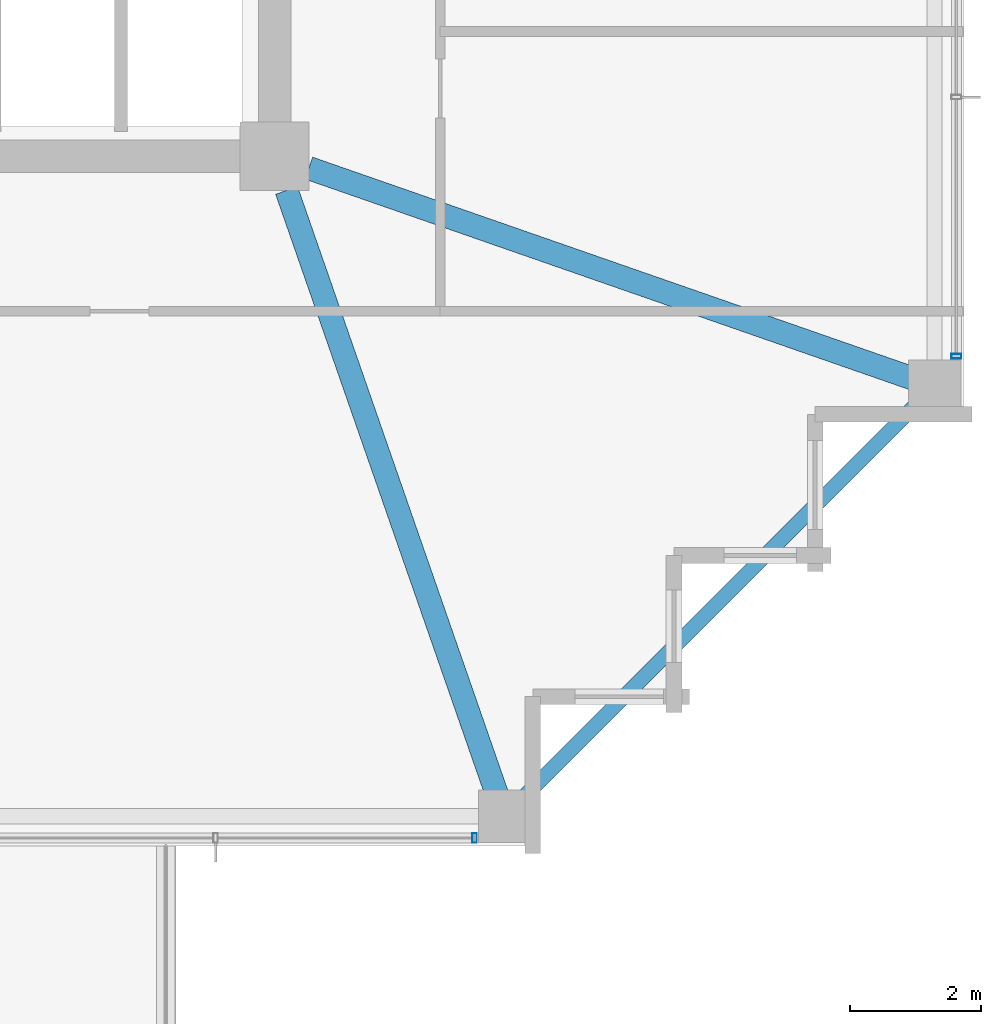
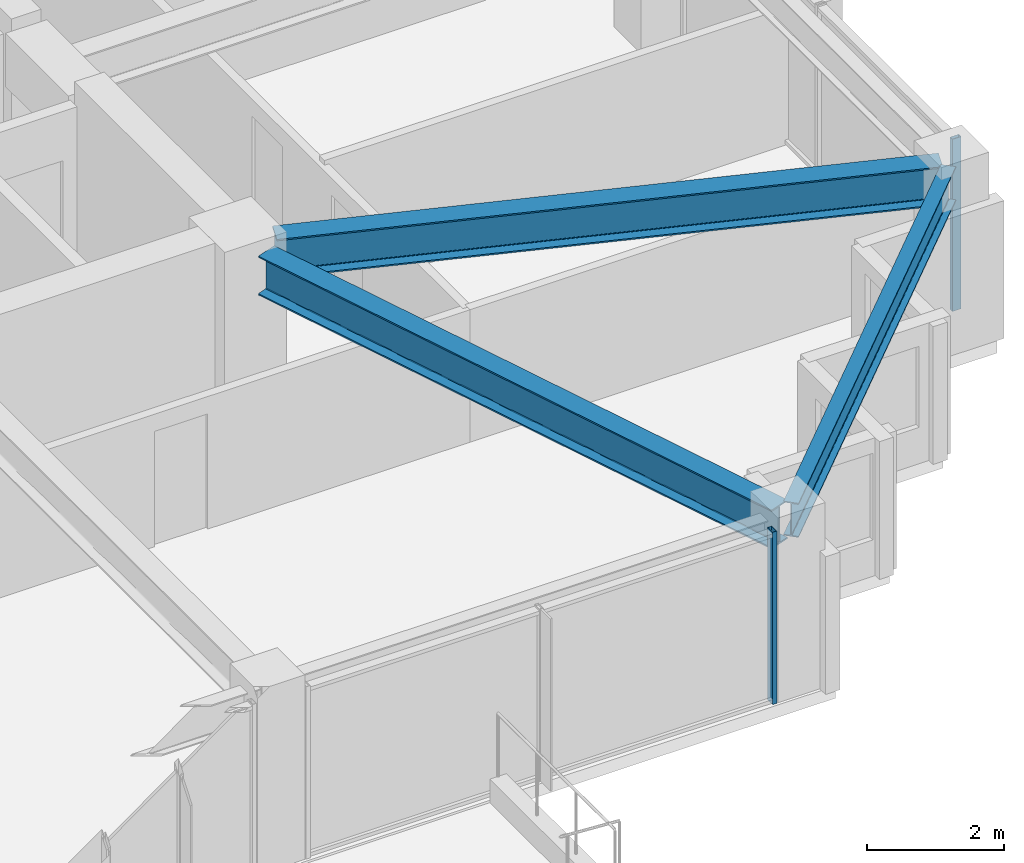
# One storey, part 11 of 36: 3 beams, 2 members, 2 elements without a shape of their own.
"""IFC4 building model written with IfcOpenShell, lengths in metres."""

import ifcopenshell
import ifcopenshell.guid

model = None  # the IFC model being written
_history = None  # IfcOwnerHistory: only IFC2X3 demands one
_inside = {}  # id of a spatial element -> (the spatial element, [elements in it])
_under = {}  # id of a project, library or spatial element -> (it, [spatial elements below it])
_declared = {}  # id of a project -> (the project, [libraries it declares])
_typed = {}  # id of a type object -> (the type object, [elements of that type])
_made_of = {}  # id of a material, layer set ... -> (it, [elements and type objects made of it])


def new_model(schema):
    """Start an empty IFC model of exactly this schema.

    Asked for "IFC4X3", IfcOpenShell would pick the latest addendum, in which some entities
    have other attributes; the version numbers below select the first issue.
    IFC2X3 requires an IfcOwnerHistory on every rooted entity: one is made here for all.
    """
    global model, _history
    if schema == "IFC4X3":
        model = ifcopenshell.file(schema_version=(4, 3, 0, 0))
    else:
        model = ifcopenshell.file(schema=schema)
    _inside.clear()
    _under.clear()
    _declared.clear()
    _typed.clear()
    _made_of.clear()
    _history = None
    if model.schema == "IFC2X3":
        org = make("IfcOrganization", Name="unknown")
        user = make(
            "IfcPersonAndOrganization",
            ThePerson=make("IfcPerson", FamilyName="unknown"),
            TheOrganization=org,
        )
        app = make(
            "IfcApplication",
            ApplicationDeveloper=org,
            Version="unknown",
            ApplicationFullName="unknown",
            ApplicationIdentifier="unknown",
        )
        _history = make(
            "IfcOwnerHistory",
            OwningUser=user,
            OwningApplication=app,
            ChangeAction="ADDED",
            CreationDate=0,
        )
    return model


def make(cls, **values):
    """One entity of the class cls with the attributes given. An attribute that is None is left unset."""
    return model.create_entity(
        cls, **{name: value for name, value in values.items() if value is not None}
    )


def rooted(cls, **values):
    """An entity with a GlobalId (a new one), such as an element, a storey or a relation."""
    return make(cls, GlobalId=ifcopenshell.guid.new(), OwnerHistory=_history, **values)


def si_unit(unit_type, name, prefix=None):
    """IfcSIUnit, for example si_unit("LENGTHUNIT", "METRE", prefix="MILLI")."""
    return make("IfcSIUnit", UnitType=unit_type, Prefix=prefix, Name=name)


def assignment(units):
    """IfcUnitAssignment: the units of a project."""
    return None if units is None else make("IfcUnitAssignment", Units=units)


def point(xyz):
    """IfcCartesianPoint."""
    return None if xyz is None else make("IfcCartesianPoint", Coordinates=xyz)


def direction(xyz):
    """IfcDirection."""
    return None if xyz is None else make("IfcDirection", DirectionRatios=xyz)


def frame(location, z_axis=None, x_axis=None):
    """IfcAxis2Placement3D, a coordinate frame: its origin and axes. An axis left out is left unset."""
    return make(
        "IfcAxis2Placement3D",
        Location=point(location),
        Axis=direction(z_axis),
        RefDirection=direction(x_axis),
    )


def frame_2d(location, x_axis=None):
    """IfcAxis2Placement2D, a coordinate frame in the plane: its origin and x axis."""
    return make(
        "IfcAxis2Placement2D", Location=point(location), RefDirection=direction(x_axis)
    )


def origin():
    """The frame at (0, 0, 0) with its axes left unset."""
    return frame((0.0, 0.0, 0.0))


def origin_2d():
    """The frame at (0, 0) in the plane with its x axis left unset."""
    return frame_2d((0.0, 0.0))


def place(relative_to, where):
    """IfcLocalPlacement: puts the frame where relative to a parent placement (None: the world)."""
    return make(
        "IfcLocalPlacement", PlacementRelTo=relative_to, RelativePlacement=where
    )


def context(
    kind, dimensions, precision=None, world=None, true_north=None, identifier=None
):
    """IfcGeometricRepresentationContext, for example the 3D "Model" context."""
    return make(
        "IfcGeometricRepresentationContext",
        ContextIdentifier=identifier,
        ContextType=kind,
        CoordinateSpaceDimension=dimensions,
        Precision=precision,
        WorldCoordinateSystem=world,
        TrueNorth=true_north,
    )


def subcontext(parent, identifier, kind, view, scale=None):
    """IfcGeometricRepresentationSubContext, for example "Body" below "Model"."""
    return make(
        "IfcGeometricRepresentationSubContext",
        ContextIdentifier=identifier,
        ContextType=kind,
        ParentContext=parent,
        TargetScale=scale,
        TargetView=view,
    )


def project(units=None, contexts=None):
    """IfcProject with its units and contexts."""
    return rooted(
        "IfcProject",
        Name="project",
        RepresentationContexts=contexts,
        UnitsInContext=assignment(units),
    )


def spatial(cls, under=None, at=None, **own):
    """A site, building, storey or space (cls), placed at a placement, below another one or the project."""
    s = rooted(cls, ObjectPlacement=at, **own)
    if under is not None:
        _under.setdefault(under.id(), (under, []))[1].append(s)
    return s


def profile(cls, at=None, kind="AREA", **sizes):
    """A parametric profile (cls). Its sizes go by their IFC names, for example OverallWidth=200.0."""
    return make(cls, ProfileType=kind, Position=at, **sizes)


def hollow_rectangle(**sizes):
    """IfcRectangleHollowProfileDef."""
    return profile("IfcRectangleHollowProfileDef", **sizes)


def i_section(**sizes):
    """IfcIShapeProfileDef."""
    return profile("IfcIShapeProfileDef", **sizes)


def extrude(swept, where, along, depth):
    """IfcExtrudedAreaSolid: the profile swept, set in the frame where, extruded along a direction by depth."""
    return make(
        "IfcExtrudedAreaSolid",
        SweptArea=swept,
        Position=where,
        ExtrudedDirection=direction(along),
        Depth=depth,
    )


def shape(context_of_items, identifier, shape_type, items):
    """IfcShapeRepresentation: the items that make up one representation, for example the "Body"."""
    return make(
        "IfcShapeRepresentation",
        ContextOfItems=context_of_items,
        RepresentationIdentifier=identifier,
        RepresentationType=shape_type,
        Items=items,
    )


def material(Name=None, Category=None):
    """IfcMaterial."""
    return make("IfcMaterial", Name=Name, Category=Category)


def material_profile(
    of_material, cross_section, Name=None, Category=None, Priority=None
):
    """IfcMaterialProfile: a cross section and its material."""
    return make(
        "IfcMaterialProfile",
        Name=Name,
        Material=of_material,
        Profile=cross_section,
        Priority=Priority,
        Category=Category,
    )


def profile_set(profiles, Name=None, composite=None):
    """IfcMaterialProfileSet."""
    return make(
        "IfcMaterialProfileSet",
        Name=Name,
        MaterialProfiles=profiles,
        CompositeProfile=composite,
    )


def made_of(thing, what):
    """Note that an element or type object is made of a material, layer set ...; save() writes the relation."""
    if what is not None:
        _made_of.setdefault(what.id(), (what, []))[1].append(thing)
    return thing


def type_object(cls, material=None, **own):
    """A type object (cls), such as IfcWallType, which elements share."""
    return made_of(rooted(cls, **own), material)


def element(
    cls,
    number,
    at=None,
    inside=None,
    cuts=None,
    type_object=None,
    material=None,
    context=None,
    identifier="Body",
    shape_type=None,
    held_by="IfcProductDefinitionShape",
    body=None,
    shapes=None,
    **own,
):
    """One element of the class cls, such as IfcWall. Its Tag is "e" and its number.

    at: its placement. inside: the storey or other place that contains it. cuts: it is an
    opening in that element (IfcRelVoidsElement). A single representation is given by context,
    identifier, shape_type and body (its items); several are given by shapes. held_by: the class
    of the entity that holds the representations. save() writes the other relations.
    """
    e = rooted(cls, Tag="e%d" % number, ObjectPlacement=at, **own)
    if body is not None:
        shapes = [shape(context, identifier, shape_type, body)]
    if shapes is not None:
        e.Representation = make(held_by, Representations=shapes)
    if inside is not None:
        _inside.setdefault(inside.id(), (inside, []))[1].append(e)
    if cuts is not None:
        rooted(
            "IfcRelVoidsElement", RelatingBuildingElement=cuts, RelatedOpeningElement=e
        )
    if type_object is not None:
        _typed.setdefault(type_object.id(), (type_object, []))[1].append(e)
    return made_of(e, material)


def aggregate(whole, parts):
    """IfcRelAggregates: a whole, such as a stair, and the parts it consists of."""
    return rooted("IfcRelAggregates", RelatingObject=whole, RelatedObjects=parts)


def save(model, path):
    """Write the relations noted so far, then the file.

    IfcRelAggregates (storeys below a building ...), IfcRelContainedInSpatialStructure (elements
    in a storey), IfcRelDefinesByType, IfcRelAssociatesMaterial and IfcRelDeclares: one each for
    every whole, place, type object, material and project.
    """
    for whole, parts in _under.values():
        aggregate(whole, parts)
    for where, things in _inside.values():
        rooted(
            "IfcRelContainedInSpatialStructure",
            RelatedElements=things,
            RelatingStructure=where,
        )
    for kind, things in _typed.values():
        rooted("IfcRelDefinesByType", RelatedObjects=things, RelatingType=kind)
    for what, things in _made_of.values():
        rooted("IfcRelAssociatesMaterial", RelatedObjects=things, RelatingMaterial=what)
    for by, libraries in _declared.values():
        rooted("IfcRelDeclares", RelatingContext=by, RelatedDefinitions=libraries)
    model.write(path)


model = new_model("IFC4")

# Units and contexts
model_context = context("Model", 3, precision=1e-05, world=origin(), true_north=direction((0.0, 1.0)))
body_context = subcontext(model_context, "Body", "Model", "MODEL_VIEW")
ifc_project = project(units=[si_unit("LENGTHUNIT", "METRE"), si_unit("AREAUNIT", "SQUARE_METRE"), si_unit("VOLUMEUNIT", "CUBIC_METRE"), si_unit("PLANEANGLEUNIT", "RADIAN"), si_unit("MASSUNIT", "GRAM", prefix="KILO")], contexts=[model_context])

# Site, building, storey
site_placement = place(None, origin())
site = spatial("IfcSite", under=ifc_project, at=site_placement, CompositionType="ELEMENT")
building_placement = place(site_placement, origin())
building = spatial("IfcBuilding", under=site, at=building_placement, Name="Kolvaren Belvedere", CompositionType="ELEMENT")
storey_placement = place(building_placement, frame((0.0, 0.0, 196.5)))
storey = spatial("IfcBuildingStorey", under=building, at=storey_placement, Name="L57", CompositionType="ELEMENT", Elevation=196.5)

# Beams
ifc_material_1 = material(Name="Structural steel ASTM A992 Grade 50", Category="steel")
ifc_material_profile_1 = material_profile(ifc_material_1, i_section(OverallWidth=0.35498046875, OverallDepth=0.696044921875, WebThickness=0.015380859375, FlangeThickness=0.02490234375, FilletRadius=0.02197265625, at=origin_2d()), Name="W27X146")
ifc_profile_set_1 = profile_set([ifc_material_profile_1], Name="Structural steel ASTM A992 Grade 50")
beam_type_1 = type_object("IfcBeamType", Name="BM-GIRD-W27X146", PredefinedType="BEAM", material=ifc_profile_set_1)
for number, where, z_axis, x_axis, name in (
    (1, (10.080810546875, -10.41943359375, 2.73193359375), (0.328898147971, -0.944365399758, 0.0), (0.944365399758, 0.328898147971, 0.0), "L57 Corner Core-to-Perimeter Girder CC2-S4"),
    (2, (10.41943359375, -10.080810546875, 2.73193359375), (0.944365399758, -0.328898147971, 0.0), (0.328898147971, 0.944365399758, 0.0), "L57 Corner Core-to-Perimeter Girder CC2-E1"),
):
    element("IfcBeam", number, at=place(storey_placement, frame(where, z_axis=z_axis, x_axis=x_axis)), inside=storey, type_object=beam_type_1, Name=name, PredefinedType="BEAM", context=body_context, shape_type="SweptSolid", body=[
        extrude(i_section(OverallWidth=0.35498046875, OverallDepth=0.696044921875, WebThickness=0.015380859375, FlangeThickness=0.02490234375, FilletRadius=0.02197265625, at=origin_2d()), origin(), (0.0, 0.0, 1.0), 9.931884765625),
    ])
ifc_material_2 = material(Name="Structural steel ASTM A992 Grade 50", Category="steel")
ifc_material_profile_2 = material_profile(ifc_material_2, i_section(OverallWidth=0.22900390625, OverallDepth=0.612060546875, WebThickness=0.011962890625, FlangeThickness=0.01953125, FilletRadius=0.01806640625, at=origin_2d()), Name="W24X84")
ifc_profile_set_2 = profile_set([ifc_material_profile_2], Name="Structural steel ASTM A992 Grade 50")
beam_type_2 = type_object("IfcBeamType", Name="BM-SPAN-W24X84", PredefinedType="SPANDREL", material=ifc_profile_set_2)
beam_placement = place(storey_placement, frame((13.52734375, -19.82275390625, 2.77392578125), z_axis=(0.707106781187, 0.707106781187, 0.0), x_axis=(-0.707106781187, 0.707106781187, 0.0)))
element("IfcBeam", 3, at=beam_placement, inside=storey, type_object=beam_type_2, Name="L57 Perimeter Spandrel S4-E1", PredefinedType="SPANDREL", context=body_context, shape_type="SweptSolid", body=[
    extrude(i_section(OverallWidth=0.22900390625, OverallDepth=0.612060546875, WebThickness=0.011962890625, FlangeThickness=0.01953125, FilletRadius=0.01806640625, at=origin_2d()), origin(), (0.0, 0.0, 1.0), 8.903076171875),
])

# Curtain wall, member
ifc_material_3 = material(Name="Anodised pale-metal aluminium AA 6063-T6", Category="aluminium")
curtain_wall_type = type_object("IfcCurtainWallType", Name="CW-Z5-HIGH", PredefinedType="NOTDEFINED", material=ifc_material_3)
curtain_wall_1_placement = place(storey_placement, origin())
curtain_wall_1 = element("IfcCurtainWall", 4, at=curtain_wall_1_placement, inside=storey, type_object=curtain_wall_type, Name="L57 Unitised Curtain Wall FCW-L57-S1-B1", PredefinedType="NOTDEFINED")
ifc_material_4 = material(Name="Anodised pale-metal aluminium AA 6063-T6", Category="aluminium")
ifc_material_profile_3 = material_profile(ifc_material_4, hollow_rectangle(XDim=0.070068359375, YDim=0.14990234375, WallThickness=0.004150390625, at=origin_2d()), Name="ALU-MUL-150X70")
ifc_profile_set_3 = profile_set([ifc_material_profile_3], Name="Anodised pale-metal aluminium AA 6063-T6")
member_type = type_object("IfcMemberType", Name="CW-MUL-150", PredefinedType="MULLION", material=ifc_profile_set_3)
member_1_placement = place(storey_placement, frame((12.945068359375, -20.280029296875, 0.0), z_axis=(0.0, 0.0, 1.0), x_axis=(1.0, 0.0, 0.0)))
member_1 = element("IfcMember", 5, at=member_1_placement, type_object=member_type, Name="FCW-L57-S1-B1 Unitised Mullion 1", PredefinedType="MULLION", context=body_context, shape_type="SweptSolid", body=[
    extrude(hollow_rectangle(XDim=0.070068359375, YDim=0.14990234375, WallThickness=0.004150390625, at=origin_2d()), origin(), (0.0, 0.0, 1.0), 3.080078125),
])
aggregate(curtain_wall_1, [member_1])

curtain_wall_2_placement = place(storey_placement, origin())
curtain_wall_2 = element("IfcCurtainWall", 6, at=curtain_wall_2_placement, inside=storey, type_object=curtain_wall_type, Name="L57 Unitised Curtain Wall FCW-L57-E-B3", PredefinedType="NOTDEFINED")
member_2_placement = place(storey_placement, frame((20.280029296875, -12.945068359375, 0.0), z_axis=(0.0, 0.0, 1.0), x_axis=(0.0, 1.0, 0.0)))
member_2 = element("IfcMember", 7, at=member_2_placement, type_object=member_type, Name="FCW-L57-E-B3 Unitised Mullion 3", PredefinedType="MULLION", context=body_context, shape_type="SweptSolid", body=[
    extrude(hollow_rectangle(XDim=0.070068359375, YDim=0.14990234375, WallThickness=0.004150390625, at=origin_2d()), origin(), (0.0, 0.0, 1.0), 3.080078125),
])
aggregate(curtain_wall_2, [member_2])

save(model, "model.ifc")
